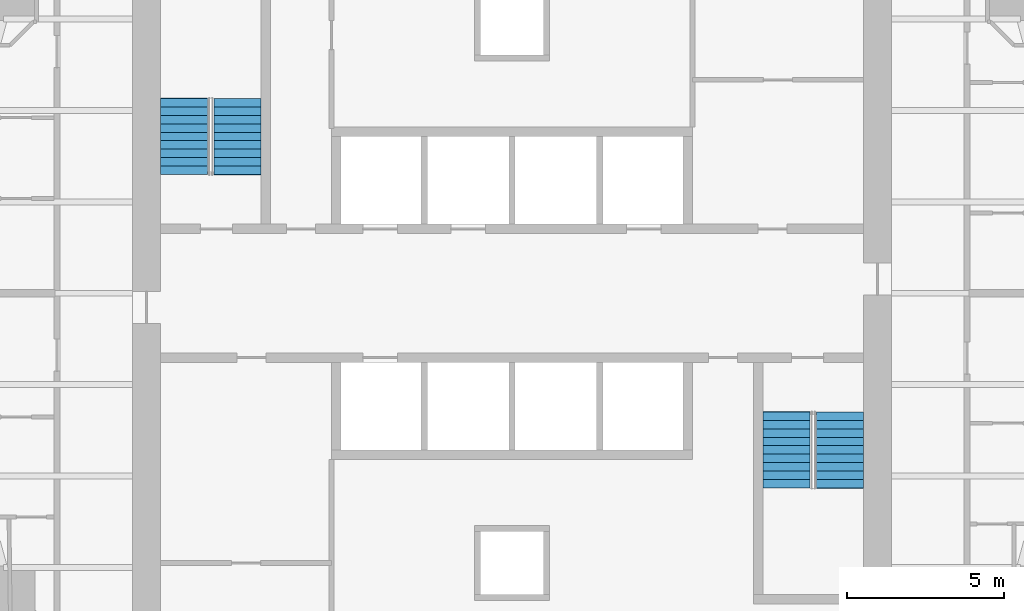
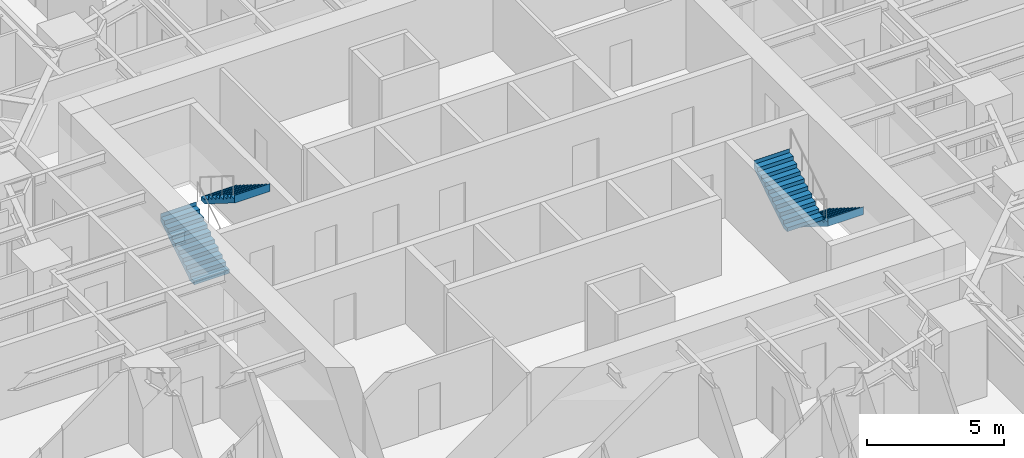
# One storey, part 16 of 17: 4 stair flights, 2 elements without a shape of their own.
"""IFC4 building model written with IfcOpenShell, lengths in metres."""

from ifc_helpers import new_model, si_unit, direction, frame, origin, place, context, subcontext, project, spatial, polyline, outline, extrude, material, type_object, element, aggregate, save


model = new_model("IFC4")

# Units and contexts
model_context = context("Model", 3, precision=1e-05, world=origin(), true_north=direction((0.0, 1.0)))
body_context = subcontext(model_context, "Body", "Model", "MODEL_VIEW")
ifc_project = project(units=[si_unit("LENGTHUNIT", "METRE"), si_unit("AREAUNIT", "SQUARE_METRE"), si_unit("VOLUMEUNIT", "CUBIC_METRE"), si_unit("PLANEANGLEUNIT", "RADIAN"), si_unit("MASSUNIT", "GRAM", prefix="KILO")], contexts=[model_context])

# Site, building, storey
site_placement = place(None, origin())
site = spatial("IfcSite", under=ifc_project, at=site_placement, CompositionType="ELEMENT")
building_placement = place(site_placement, origin())
building = spatial("IfcBuilding", under=site, at=building_placement, Name="Torsade Residences", CompositionType="ELEMENT")
storey_placement = place(building_placement, frame((0.0, 0.0, 18.39990234375)))
storey = spatial("IfcBuildingStorey", under=building, at=storey_placement, Name="L04", CompositionType="ELEMENT", Elevation=18.39990234375)

# Stair, stair flights
ifc_material_1 = material(Name="Precast concrete 40 MPa", Category="concrete")
stair_type = type_object("IfcStairType", Name="HALF-TURN FIRE STAIR 1500x3400", PredefinedType="HALF_TURN_STAIR", material=ifc_material_1)
stair_1_placement = place(storey_placement, origin())
stair_1 = element("IfcStair", 1, at=stair_1_placement, inside=storey, type_object=stair_type, Name="Stair ST1 L04", PredefinedType="HALF_TURN_STAIR")
ifc_material_2 = material(Name="Precast concrete 40 MPa", Category="concrete")
stair_flight_type = type_object("IfcStairFlightType", Name="PRECAST STAIR FLIGHT 1500x1700", PredefinedType="STRAIGHT", material=ifc_material_2)
stair_flight_1_placement = place(storey_placement, frame((29.550048828125, 33.780029296875, 0.0), z_axis=(0.0, 0.0, 1.0), x_axis=(0.0, 1.0, 0.0)))
stair_flight_1 = element("IfcStairFlight", 2, at=stair_flight_1_placement, type_object=stair_flight_type, Name="ST1 flight 1", NumberOfRisers=10, NumberOfTreads=9, PredefinedType="STRAIGHT", RiserHeight=0.17, TreadLength=0.27, context=body_context, shape_type="SweptSolid", body=[
    extrude(outline(polyline([(0.0, 0.0), (0.0, 0.169921875), (0.27001953125, 0.169921875), (0.27001953125, 0.340087890625), (0.5400390625, 0.340087890625), (0.5400390625, 0.510009765625), (0.81005859375, 0.510009765625), (0.81005859375, 0.679931640625), (1.080078125, 0.679931640625), (1.080078125, 0.85009765625), (1.35009765625, 0.85009765625), (1.35009765625, 1.02001953125), (1.6201171875, 1.02001953125), (1.6201171875, 1.18994140625), (1.889892578125, 1.18994140625), (1.889892578125, 1.360107421875), (2.159912109375, 1.360107421875), (2.159912109375, 1.530029296875), (2.429931640625, 1.530029296875), (2.429931640625, 1.699951171875), (2.43994140625, 1.699951171875), (2.43994140625, 1.352783203125), (2.429931640625, 1.352783203125), (0.28125, 0.0), (0.0, 0.0)])), frame((0.0, 0.75, 0.0), z_axis=(0.0, -1.0, 0.0), x_axis=(1.0, 0.0, 0.0)), (0.0, 0.0, 1.0), 1.5),
])
stair_flight_2_placement = place(storey_placement, frame((31.25, 36.2099609375, 1.7001953125), z_axis=(0.0, 0.0, 1.0), x_axis=(0.0, -1.0, 0.0)))
stair_flight_2 = element("IfcStairFlight", 3, at=stair_flight_2_placement, type_object=stair_flight_type, Name="ST1 flight 2", NumberOfRisers=10, NumberOfTreads=9, PredefinedType="STRAIGHT", RiserHeight=0.17, TreadLength=0.27, context=body_context, shape_type="SweptSolid", body=[
    extrude(outline(polyline([(0.0, 0.0), (0.0, 0.169921875), (0.27001953125, 0.169921875), (0.27001953125, 0.340087890625), (0.5400390625, 0.340087890625), (0.5400390625, 0.510009765625), (0.81005859375, 0.510009765625), (0.81005859375, 0.679931640625), (1.080078125, 0.679931640625), (1.080078125, 0.85009765625), (1.35009765625, 0.85009765625), (1.35009765625, 1.02001953125), (1.6201171875, 1.02001953125), (1.6201171875, 1.18994140625), (1.889892578125, 1.18994140625), (1.889892578125, 1.360107421875), (2.159912109375, 1.360107421875), (2.159912109375, 1.530029296875), (2.429931640625, 1.530029296875), (2.429931640625, 1.699951171875), (2.43994140625, 1.699951171875), (2.43994140625, 1.352783203125), (2.429931640625, 1.352783203125), (0.28125, 0.0), (0.0, 0.0)])), frame((0.0, 0.75, 0.0), z_axis=(0.0, -1.0, 0.0), x_axis=(1.0, 0.0, 0.0)), (0.0, 0.0, 1.0), 1.5),
])
aggregate(stair_1, [stair_flight_1, stair_flight_2])

stair_2_placement = place(storey_placement, origin())
stair_2 = element("IfcStair", 4, at=stair_2_placement, inside=storey, type_object=stair_type, Name="Stair ST2 L04", PredefinedType="HALF_TURN_STAIR")
stair_flight_3_placement = place(storey_placement, frame((50.449951171875, 26.219970703125, 0.0), z_axis=(0.0, 0.0, 1.0), x_axis=(0.0, -1.0, 0.0)))
stair_flight_3 = element("IfcStairFlight", 5, at=stair_flight_3_placement, type_object=stair_flight_type, Name="ST2 flight 1", NumberOfRisers=10, NumberOfTreads=9, PredefinedType="STRAIGHT", RiserHeight=0.17, TreadLength=0.27, context=body_context, shape_type="SweptSolid", body=[
    extrude(outline(polyline([(0.0, 0.0), (0.0, 0.169921875), (0.27001953125, 0.169921875), (0.27001953125, 0.340087890625), (0.5400390625, 0.340087890625), (0.5400390625, 0.510009765625), (0.81005859375, 0.510009765625), (0.81005859375, 0.679931640625), (1.080078125, 0.679931640625), (1.080078125, 0.85009765625), (1.35009765625, 0.85009765625), (1.35009765625, 1.02001953125), (1.6201171875, 1.02001953125), (1.6201171875, 1.18994140625), (1.889892578125, 1.18994140625), (1.889892578125, 1.360107421875), (2.159912109375, 1.360107421875), (2.159912109375, 1.530029296875), (2.429931640625, 1.530029296875), (2.429931640625, 1.699951171875), (2.43994140625, 1.699951171875), (2.43994140625, 1.352783203125), (2.429931640625, 1.352783203125), (0.28125, 0.0), (0.0, 0.0)])), frame((0.0, 0.75, 0.0), z_axis=(0.0, -1.0, 0.0), x_axis=(1.0, 0.0, 0.0)), (0.0, 0.0, 1.0), 1.5),
])
stair_flight_4_placement = place(storey_placement, frame((48.75, 23.7900390625, 1.7001953125), z_axis=(0.0, 0.0, 1.0), x_axis=(0.0, 1.0, 0.0)))
stair_flight_4 = element("IfcStairFlight", 6, at=stair_flight_4_placement, type_object=stair_flight_type, Name="ST2 flight 2", NumberOfRisers=10, NumberOfTreads=9, PredefinedType="STRAIGHT", RiserHeight=0.17, TreadLength=0.27, context=body_context, shape_type="SweptSolid", body=[
    extrude(outline(polyline([(0.0, 0.0), (0.0, 0.169921875), (0.27001953125, 0.169921875), (0.27001953125, 0.340087890625), (0.5400390625, 0.340087890625), (0.5400390625, 0.510009765625), (0.81005859375, 0.510009765625), (0.81005859375, 0.679931640625), (1.080078125, 0.679931640625), (1.080078125, 0.85009765625), (1.35009765625, 0.85009765625), (1.35009765625, 1.02001953125), (1.6201171875, 1.02001953125), (1.6201171875, 1.18994140625), (1.889892578125, 1.18994140625), (1.889892578125, 1.360107421875), (2.159912109375, 1.360107421875), (2.159912109375, 1.530029296875), (2.429931640625, 1.530029296875), (2.429931640625, 1.699951171875), (2.43994140625, 1.699951171875), (2.43994140625, 1.352783203125), (2.429931640625, 1.352783203125), (0.28125, 0.0), (0.0, 0.0)])), frame((0.0, 0.75, 0.0), z_axis=(0.0, -1.0, 0.0), x_axis=(1.0, 0.0, 0.0)), (0.0, 0.0, 1.0), 1.5),
])
aggregate(stair_2, [stair_flight_3, stair_flight_4])

save(model, "model.ifc")
